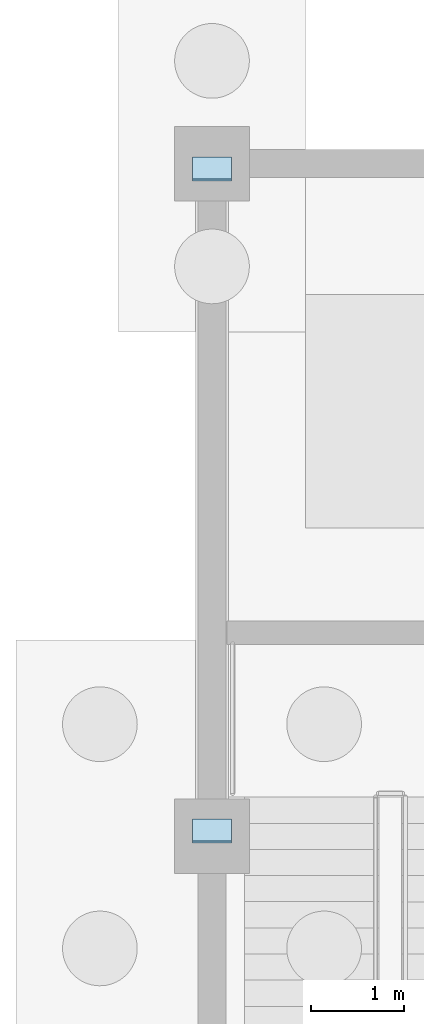
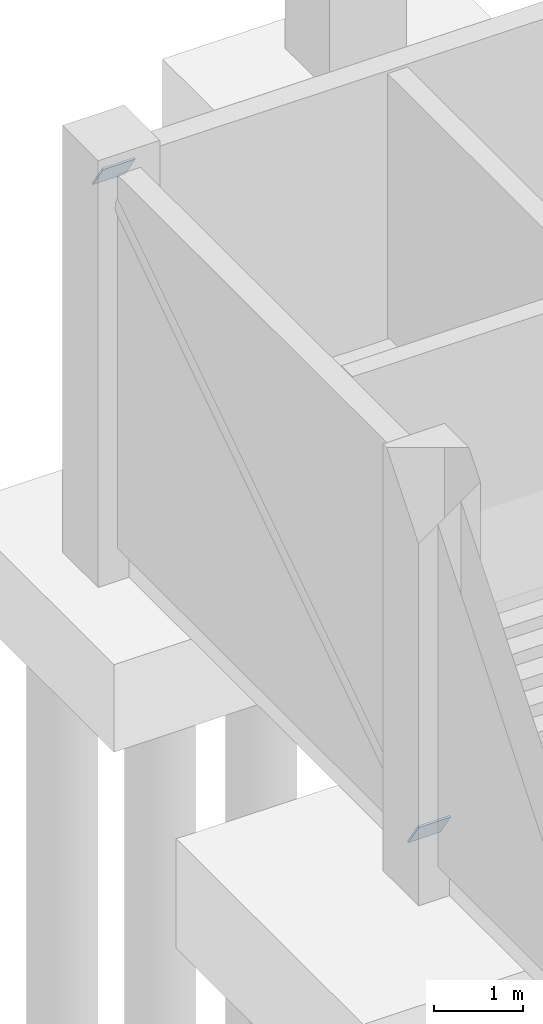
# One storey, part 16 of 35: 2 plates.
"""IFC4 building model written with IfcOpenShell, lengths in metres."""

import ifcopenshell
import ifcopenshell.guid

model = None  # the IFC model being written
_history = None  # IfcOwnerHistory: only IFC2X3 demands one
_inside = {}  # id of a spatial element -> (the spatial element, [elements in it])
_under = {}  # id of a project, library or spatial element -> (it, [spatial elements below it])
_declared = {}  # id of a project -> (the project, [libraries it declares])
_typed = {}  # id of a type object -> (the type object, [elements of that type])
_made_of = {}  # id of a material, layer set ... -> (it, [elements and type objects made of it])


def new_model(schema):
    """Start an empty IFC model of exactly this schema.

    Asked for "IFC4X3", IfcOpenShell would pick the latest addendum, in which some entities
    have other attributes; the version numbers below select the first issue.
    IFC2X3 requires an IfcOwnerHistory on every rooted entity: one is made here for all.
    """
    global model, _history
    if schema == "IFC4X3":
        model = ifcopenshell.file(schema_version=(4, 3, 0, 0))
    else:
        model = ifcopenshell.file(schema=schema)
    _inside.clear()
    _under.clear()
    _declared.clear()
    _typed.clear()
    _made_of.clear()
    _history = None
    if model.schema == "IFC2X3":
        org = make("IfcOrganization", Name="unknown")
        user = make(
            "IfcPersonAndOrganization",
            ThePerson=make("IfcPerson", FamilyName="unknown"),
            TheOrganization=org,
        )
        app = make(
            "IfcApplication",
            ApplicationDeveloper=org,
            Version="unknown",
            ApplicationFullName="unknown",
            ApplicationIdentifier="unknown",
        )
        _history = make(
            "IfcOwnerHistory",
            OwningUser=user,
            OwningApplication=app,
            ChangeAction="ADDED",
            CreationDate=0,
        )
    return model


def make(cls, **values):
    """One entity of the class cls with the attributes given. An attribute that is None is left unset."""
    return model.create_entity(
        cls, **{name: value for name, value in values.items() if value is not None}
    )


def rooted(cls, **values):
    """An entity with a GlobalId (a new one), such as an element, a storey or a relation."""
    return make(cls, GlobalId=ifcopenshell.guid.new(), OwnerHistory=_history, **values)


def si_unit(unit_type, name, prefix=None):
    """IfcSIUnit, for example si_unit("LENGTHUNIT", "METRE", prefix="MILLI")."""
    return make("IfcSIUnit", UnitType=unit_type, Prefix=prefix, Name=name)


def assignment(units):
    """IfcUnitAssignment: the units of a project."""
    return None if units is None else make("IfcUnitAssignment", Units=units)


def point(xyz):
    """IfcCartesianPoint."""
    return None if xyz is None else make("IfcCartesianPoint", Coordinates=xyz)


def direction(xyz):
    """IfcDirection."""
    return None if xyz is None else make("IfcDirection", DirectionRatios=xyz)


def frame(location, z_axis=None, x_axis=None):
    """IfcAxis2Placement3D, a coordinate frame: its origin and axes. An axis left out is left unset."""
    return make(
        "IfcAxis2Placement3D",
        Location=point(location),
        Axis=direction(z_axis),
        RefDirection=direction(x_axis),
    )


def frame_2d(location, x_axis=None):
    """IfcAxis2Placement2D, a coordinate frame in the plane: its origin and x axis."""
    return make(
        "IfcAxis2Placement2D", Location=point(location), RefDirection=direction(x_axis)
    )


def origin():
    """The frame at (0, 0, 0) with its axes left unset."""
    return frame((0.0, 0.0, 0.0))


def origin_2d():
    """The frame at (0, 0) in the plane with its x axis left unset."""
    return frame_2d((0.0, 0.0))


def place(relative_to, where):
    """IfcLocalPlacement: puts the frame where relative to a parent placement (None: the world)."""
    return make(
        "IfcLocalPlacement", PlacementRelTo=relative_to, RelativePlacement=where
    )


def context(
    kind, dimensions, precision=None, world=None, true_north=None, identifier=None
):
    """IfcGeometricRepresentationContext, for example the 3D "Model" context."""
    return make(
        "IfcGeometricRepresentationContext",
        ContextIdentifier=identifier,
        ContextType=kind,
        CoordinateSpaceDimension=dimensions,
        Precision=precision,
        WorldCoordinateSystem=world,
        TrueNorth=true_north,
    )


def subcontext(parent, identifier, kind, view, scale=None):
    """IfcGeometricRepresentationSubContext, for example "Body" below "Model"."""
    return make(
        "IfcGeometricRepresentationSubContext",
        ContextIdentifier=identifier,
        ContextType=kind,
        ParentContext=parent,
        TargetScale=scale,
        TargetView=view,
    )


def project(units=None, contexts=None):
    """IfcProject with its units and contexts."""
    return rooted(
        "IfcProject",
        Name="project",
        RepresentationContexts=contexts,
        UnitsInContext=assignment(units),
    )


def spatial(cls, under=None, at=None, **own):
    """A site, building, storey or space (cls), placed at a placement, below another one or the project."""
    s = rooted(cls, ObjectPlacement=at, **own)
    if under is not None:
        _under.setdefault(under.id(), (under, []))[1].append(s)
    return s


def profile(cls, at=None, kind="AREA", **sizes):
    """A parametric profile (cls). Its sizes go by their IFC names, for example OverallWidth=200.0."""
    return make(cls, ProfileType=kind, Position=at, **sizes)


def rectangle(**sizes):
    """IfcRectangleProfileDef."""
    return profile("IfcRectangleProfileDef", **sizes)


def extrude(swept, where, along, depth):
    """IfcExtrudedAreaSolid: the profile swept, set in the frame where, extruded along a direction by depth."""
    return make(
        "IfcExtrudedAreaSolid",
        SweptArea=swept,
        Position=where,
        ExtrudedDirection=direction(along),
        Depth=depth,
    )


def shape(context_of_items, identifier, shape_type, items):
    """IfcShapeRepresentation: the items that make up one representation, for example the "Body"."""
    return make(
        "IfcShapeRepresentation",
        ContextOfItems=context_of_items,
        RepresentationIdentifier=identifier,
        RepresentationType=shape_type,
        Items=items,
    )


def material(Name=None, Category=None):
    """IfcMaterial."""
    return make("IfcMaterial", Name=Name, Category=Category)


def layer(
    of_material, thickness, ventilated=None, Name=None, Category=None, Priority=None
):
    """IfcMaterialLayer: one layer of a wall or slab, of a material (None: an air gap)."""
    return make(
        "IfcMaterialLayer",
        Material=of_material,
        LayerThickness=thickness,
        IsVentilated=ventilated,
        Name=Name,
        Category=Category,
        Priority=Priority,
    )


def layer_set(layers, Name=None):
    """IfcMaterialLayerSet."""
    return make("IfcMaterialLayerSet", MaterialLayers=layers, LayerSetName=Name)


def made_of(thing, what):
    """Note that an element or type object is made of a material, layer set ...; save() writes the relation."""
    if what is not None:
        _made_of.setdefault(what.id(), (what, []))[1].append(thing)
    return thing


def type_object(cls, material=None, **own):
    """A type object (cls), such as IfcWallType, which elements share."""
    return made_of(rooted(cls, **own), material)


def element(
    cls,
    number,
    at=None,
    inside=None,
    cuts=None,
    type_object=None,
    material=None,
    context=None,
    identifier="Body",
    shape_type=None,
    held_by="IfcProductDefinitionShape",
    body=None,
    shapes=None,
    **own,
):
    """One element of the class cls, such as IfcWall. Its Tag is "e" and its number.

    at: its placement. inside: the storey or other place that contains it. cuts: it is an
    opening in that element (IfcRelVoidsElement). A single representation is given by context,
    identifier, shape_type and body (its items); several are given by shapes. held_by: the class
    of the entity that holds the representations. save() writes the other relations.
    """
    e = rooted(cls, Tag="e%d" % number, ObjectPlacement=at, **own)
    if body is not None:
        shapes = [shape(context, identifier, shape_type, body)]
    if shapes is not None:
        e.Representation = make(held_by, Representations=shapes)
    if inside is not None:
        _inside.setdefault(inside.id(), (inside, []))[1].append(e)
    if cuts is not None:
        rooted(
            "IfcRelVoidsElement", RelatingBuildingElement=cuts, RelatedOpeningElement=e
        )
    if type_object is not None:
        _typed.setdefault(type_object.id(), (type_object, []))[1].append(e)
    return made_of(e, material)


def aggregate(whole, parts):
    """IfcRelAggregates: a whole, such as a stair, and the parts it consists of."""
    return rooted("IfcRelAggregates", RelatingObject=whole, RelatedObjects=parts)


def save(model, path):
    """Write the relations noted so far, then the file.

    IfcRelAggregates (storeys below a building ...), IfcRelContainedInSpatialStructure (elements
    in a storey), IfcRelDefinesByType, IfcRelAssociatesMaterial and IfcRelDeclares: one each for
    every whole, place, type object, material and project.
    """
    for whole, parts in _under.values():
        aggregate(whole, parts)
    for where, things in _inside.values():
        rooted(
            "IfcRelContainedInSpatialStructure",
            RelatedElements=things,
            RelatingStructure=where,
        )
    for kind, things in _typed.values():
        rooted("IfcRelDefinesByType", RelatedObjects=things, RelatingType=kind)
    for what, things in _made_of.values():
        rooted("IfcRelAssociatesMaterial", RelatedObjects=things, RelatingMaterial=what)
    for by, libraries in _declared.values():
        rooted("IfcRelDeclares", RelatingContext=by, RelatedDefinitions=libraries)
    model.write(path)


model = new_model("IFC4")

# Units and contexts
model_context = context("Model", 3, precision=1e-05, world=origin(), true_north=direction((0.0, 1.0)))
body_context = subcontext(model_context, "Body", "Model", "MODEL_VIEW")
ifc_project = project(units=[si_unit("LENGTHUNIT", "METRE"), si_unit("AREAUNIT", "SQUARE_METRE"), si_unit("VOLUMEUNIT", "CUBIC_METRE"), si_unit("PLANEANGLEUNIT", "RADIAN"), si_unit("MASSUNIT", "GRAM", prefix="KILO")], contexts=[model_context])

# Site, building, storey
site_placement = place(None, origin())
site = spatial("IfcSite", under=ifc_project, at=site_placement, CompositionType="ELEMENT")
building_placement = place(site_placement, origin())
building = spatial("IfcBuilding", under=site, at=building_placement, Name="Vesperath Aquatics Centre", CompositionType="ELEMENT")
storey_placement = place(building_placement, frame((0.0, 0.0, -5.39990234375)))
storey = spatial("IfcBuildingStorey", under=building, at=storey_placement, Name="B1", CompositionType="ELEMENT", Elevation=-5.39990234375)

# Plates
ifc_material = material(Name="Steel Q355D", Category="steel")
ifc_layer = layer(ifc_material, 0.02392578125)
ifc_layer_set = layer_set([ifc_layer], Name="Steel Q355D")
plate_type = type_object("IfcPlateType", Name="PT-TN04", PredefinedType="SHEET", material=ifc_layer_set)
for number, where, z_axis, x_axis, name in (
    (1, (7.199951171875, 100.8466796875, 0.180908203125), (0.0, 0.832050294338, 0.554700196225), (-1.0, 0.0, 0.0), "Truss Node Cap Plate TN04"),
    (2, (7.199951171875, 107.933349609375, 4.905517578125), (0.0, 0.832050294338, 0.554700196225), (-1.0, 0.0, 0.0), "Truss Node Cap Plate TN04"),
):
    element("IfcPlate", number, at=place(storey_placement, frame(where, z_axis=z_axis, x_axis=x_axis)), inside=storey, type_object=plate_type, Name=name, PredefinedType="SHEET", context=body_context, shape_type="SweptSolid", body=[
        extrude(rectangle(XDim=0.419921875, YDim=0.419921875, at=origin_2d()), origin(), (0.0, 0.0, 1.0), 0.02392578125),
    ])

save(model, "model.ifc")
